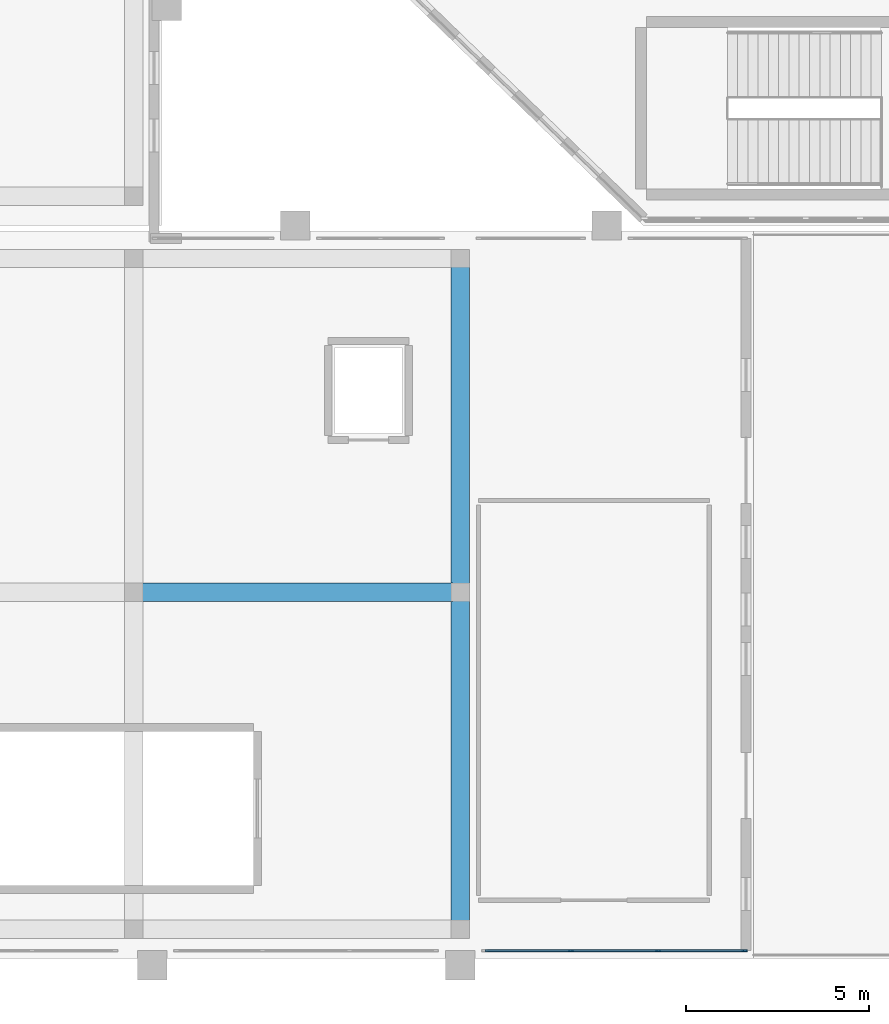
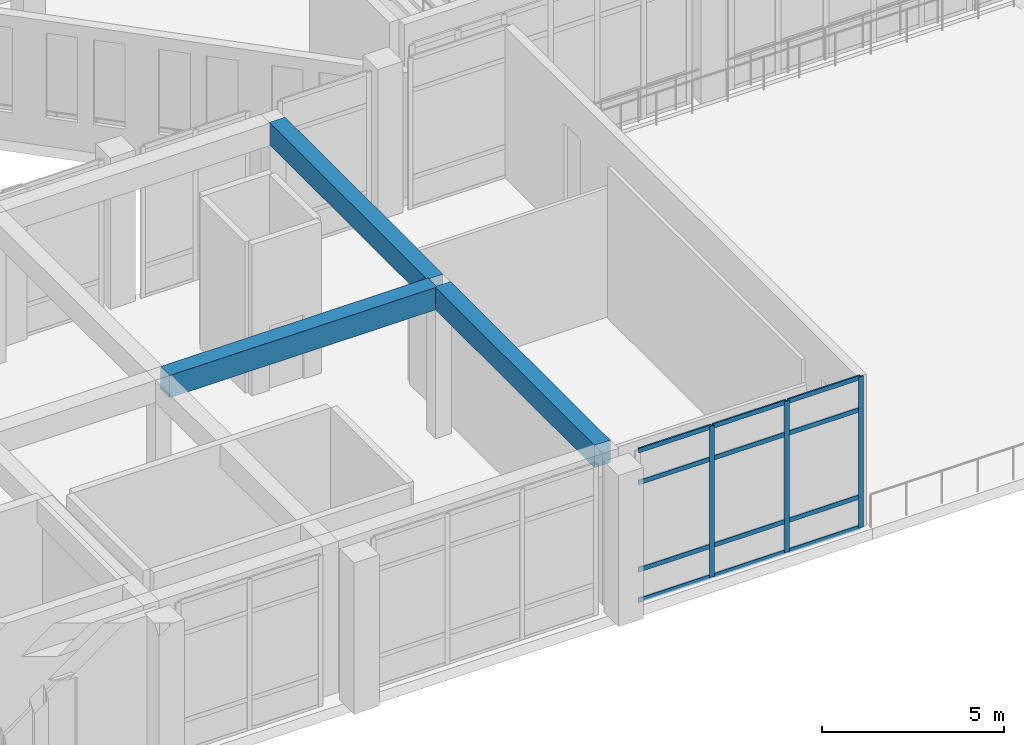
# One storey, part 4 of 55: 15 members, 3 beams, 1 element without a shape of its own.
"""IFC4 building model written with IfcOpenShell, lengths in metres."""

from ifc_helpers import new_model, si_unit, derived_unit, direction, frame, origin, origin_2d, place, context, subcontext, project, spatial, rectangle, extrude, material, layer, layer_set, material_profile, profile_set, type_object, element, aggregate, save


model = new_model("IFC4")

# Units and contexts
model_context = context("Model", 3, precision=1e-05, world=origin(), true_north=direction((0.0, 1.0)))
body_context = subcontext(model_context, "Body", "Model", "MODEL_VIEW")
ifc_project = project(units=[si_unit("LENGTHUNIT", "METRE"), si_unit("AREAUNIT", "SQUARE_METRE"), si_unit("VOLUMEUNIT", "CUBIC_METRE"), si_unit("PLANEANGLEUNIT", "RADIAN"), si_unit("MASSUNIT", "GRAM", prefix="KILO"), derived_unit("THERMALTRANSMITTANCEUNIT", [(si_unit("MASSUNIT", "GRAM", prefix="KILO"), 1), (si_unit("TIMEUNIT", "SECOND"), -3), (si_unit("THERMODYNAMICTEMPERATUREUNIT", "KELVIN"), -1)])], contexts=[model_context])

# Site, building, storey
site_placement = place(None, origin())
site = spatial("IfcSite", under=ifc_project, at=site_placement, CompositionType="ELEMENT")
building_placement = place(site_placement, origin())
building = spatial("IfcBuilding", under=site, at=building_placement, Name="Valcora Ridge Arena", CompositionType="ELEMENT")
storey_placement = place(building_placement, frame((0.0, 0.0, 21.0)))
storey = spatial("IfcBuildingStorey", under=building, at=storey_placement, Name="L04", CompositionType="ELEMENT", Elevation=21.0)

# Beams
ifc_material_1 = material(Name="Concrete C40/50", Category="concrete")
ifc_material_profile_1 = material_profile(ifc_material_1, rectangle(XDim=0.5, YDim=0.75, at=origin_2d()), Name="RC 500x750")
ifc_profile_set_1 = profile_set([ifc_material_profile_1], Name="Concrete C40/50")
beam_type_1 = type_object("IfcBeamType", Name="TY-BEAM-B-RC500-X", PredefinedType="BEAM", material=ifc_profile_set_1)
beam_1_placement = place(storey_placement, frame((15.300048828125, 10.0, 4.705078125), z_axis=(1.0, 0.0, 0.0), x_axis=(0.0, 1.0, 0.0)))
element("IfcBeam", 1, at=beam_1_placement, inside=storey, type_object=beam_type_1, Name="B-RC500-X BEM-B-RC500-X-0091", PredefinedType="BEAM", context=body_context, shape_type="SweptSolid", body=[
    extrude(rectangle(XDim=0.5, YDim=0.75, at=origin_2d()), origin(), (0.0, 0.0, 1.0), 8.5),
])
ifc_material_profile_2 = material_profile(ifc_material_1, rectangle(XDim=0.5, YDim=0.75, at=origin_2d()), Name="RC 500x750")
ifc_profile_set_2 = profile_set([ifc_material_profile_2], Name="Concrete C40/50")
beam_type_2 = type_object("IfcBeamType", Name="TY-BEAM-B-RC500-Y", PredefinedType="BEAM", material=ifc_profile_set_2)
beam_2_placement = place(storey_placement, frame((24.0, 1.0, 4.705078125), z_axis=(0.0, 1.0, 0.0), x_axis=(-1.0, 0.0, 0.0)))
element("IfcBeam", 2, at=beam_2_placement, inside=storey, type_object=beam_type_2, Name="B-RC500-Y BEM-B-RC500-Y-0116", PredefinedType="BEAM", context=body_context, shape_type="SweptSolid", body=[
    extrude(rectangle(XDim=0.5, YDim=0.75, at=origin_2d()), origin(), (0.0, 0.0, 1.0), 8.800048828125),
])
beam_3_placement = place(storey_placement, frame((24.0, 10.199951171875, 4.705078125), z_axis=(0.0, 1.0, 0.0), x_axis=(-1.0, 0.0, 0.0)))
element("IfcBeam", 3, at=beam_3_placement, inside=storey, type_object=beam_type_2, Name="B-RC500-Y BEM-B-RC500-Y-0117", PredefinedType="BEAM", context=body_context, shape_type="SweptSolid", body=[
    extrude(rectangle(XDim=0.5, YDim=0.75, at=origin_2d()), origin(), (0.0, 0.0, 1.0), 8.699951171875),
])

# Curtain wall, members
ifc_material_2 = material(Name="Anodised dark bronze architectural aluminium 6063-T6", Category="aluminium")
ifc_layer = layer(ifc_material_2, 0.14990234375, Name="Anodised dark bronze architectural aluminium 6063-T6")
ifc_layer_set = layer_set([ifc_layer], Name="Anodised dark bronze architectural aluminium 6063-T6")
curtain_wall_type = type_object("IfcCurtainWallType", Name="TY-CURTAINWALL-CW-V4-CLUB-071X51", PredefinedType="NOTDEFINED", material=ifc_layer_set)
curtain_wall_placement = place(storey_placement, origin())
curtain_wall = element("IfcCurtainWall", 4, at=curtain_wall_placement, inside=storey, type_object=curtain_wall_type, Name="CW-V4-CLUB-071X51 CW-0299", PredefinedType="NOTDEFINED")
ifc_material_profile_3 = material_profile(ifc_material_2, rectangle(XDim=0.050048828125, YDim=0.14990234375, at=origin_2d()), Name="ALU MULLION 50x150")
ifc_profile_set_3 = profile_set([ifc_material_profile_3], Name="Anodised dark bronze architectural aluminium 6063-T6")
member_type_1 = type_object("IfcMemberType", Name="TY-MEM-CWM-50x150", PredefinedType="MULLION", material=ifc_profile_set_3)
member_1_placement = place(storey_placement, frame((27.02001953125, 0.219970703125, 0.0), z_axis=(0.0, 0.0, 1.0), x_axis=(0.0, 1.0, 0.0)))
member_1 = element("IfcMember", 5, at=member_1_placement, type_object=member_type_1, Name="CW-0299/CWM-50x150/M01", PredefinedType="MULLION", context=body_context, shape_type="SweptSolid", body=[
    extrude(rectangle(XDim=0.050048828125, YDim=0.14990234375, at=origin_2d()), origin(), (0.0, 0.0, 1.0), 5.080078125),
])
member_2_placement = place(storey_placement, frame((29.39990234375, 0.219970703125, 0.0), z_axis=(0.0, 0.0, 1.0), x_axis=(0.0, 1.0, 0.0)))
member_2 = element("IfcMember", 6, at=member_2_placement, type_object=member_type_1, Name="CW-0299/CWM-50x150/M02", PredefinedType="MULLION", context=body_context, shape_type="SweptSolid", body=[
    extrude(rectangle(XDim=0.050048828125, YDim=0.14990234375, at=origin_2d()), origin(), (0.0, 0.0, 1.0), 5.080078125),
])
member_3_placement = place(storey_placement, frame((31.7548828125, 0.219970703125, 0.0), z_axis=(0.0, 0.0, 1.0), x_axis=(0.0, 1.0, 0.0)))
member_3 = element("IfcMember", 7, at=member_3_placement, type_object=member_type_1, Name="CW-0299/CWM-50x150/M03", PredefinedType="MULLION", context=body_context, shape_type="SweptSolid", body=[
    extrude(rectangle(XDim=0.050048828125, YDim=0.14990234375, at=origin_2d()), origin(), (0.0, 0.0, 1.0), 5.080078125),
])
ifc_material_profile_4 = material_profile(ifc_material_2, rectangle(XDim=0.050048828125, YDim=0.14990234375, at=origin_2d()), Name="ALU TRANSOM 50x150")
ifc_profile_set_4 = profile_set([ifc_material_profile_4], Name="Anodised dark bronze architectural aluminium 6063-T6")
member_type_2 = type_object("IfcMemberType", Name="TY-MEM-CWT-50x150", PredefinedType="USERDEFINED", material=ifc_profile_set_4)
member_4_placement = place(storey_placement, frame((24.68994140625, 0.219970703125, 0.02490234375), z_axis=(1.0, 0.0, 0.0), x_axis=(0.0, 1.0, 0.0)))
member_4 = element("IfcMember", 8, at=member_4_placement, type_object=member_type_2, Name="CW-0299/CWT-50x150/T00-00", ObjectType="TRANSOM", PredefinedType="USERDEFINED", context=body_context, shape_type="SweptSolid", body=[
    extrude(rectangle(XDim=0.050048828125, YDim=0.14990234375, at=origin_2d()), origin(), (0.0, 0.0, 1.0), 2.30517578125),
])
member_5_placement = place(storey_placement, frame((24.68994140625, 0.219970703125, 1.050048828125), z_axis=(1.0, 0.0, 0.0), x_axis=(0.0, 1.0, 0.0)))
member_5 = element("IfcMember", 9, at=member_5_placement, type_object=member_type_2, Name="CW-0299/CWT-50x150/T00-01", ObjectType="TRANSOM", PredefinedType="USERDEFINED", context=body_context, shape_type="SweptSolid", body=[
    extrude(rectangle(XDim=0.050048828125, YDim=0.14990234375, at=origin_2d()), origin(), (0.0, 0.0, 1.0), 2.30517578125),
])
member_6_placement = place(storey_placement, frame((24.68994140625, 0.219970703125, 3.97998046875), z_axis=(1.0, 0.0, 0.0), x_axis=(0.0, 1.0, 0.0)))
member_6 = element("IfcMember", 10, at=member_6_placement, type_object=member_type_2, Name="CW-0299/CWT-50x150/T00-02", ObjectType="TRANSOM", PredefinedType="USERDEFINED", context=body_context, shape_type="SweptSolid", body=[
    extrude(rectangle(XDim=0.050048828125, YDim=0.14990234375, at=origin_2d()), origin(), (0.0, 0.0, 1.0), 2.30517578125),
])
member_7_placement = place(storey_placement, frame((24.68994140625, 0.219970703125, 5.054931640625), z_axis=(1.0, 0.0, 0.0), x_axis=(0.0, 1.0, 0.0)))
member_7 = element("IfcMember", 11, at=member_7_placement, type_object=member_type_2, Name="CW-0299/CWT-50x150/T00-03", ObjectType="TRANSOM", PredefinedType="USERDEFINED", context=body_context, shape_type="SweptSolid", body=[
    extrude(rectangle(XDim=0.050048828125, YDim=0.14990234375, at=origin_2d()), origin(), (0.0, 0.0, 1.0), 2.30517578125),
])
member_8_placement = place(storey_placement, frame((27.044921875, 0.219970703125, 0.02490234375), z_axis=(1.0, 0.0, 0.0), x_axis=(0.0, 1.0, 0.0)))
member_8 = element("IfcMember", 12, at=member_8_placement, type_object=member_type_2, Name="CW-0299/CWT-50x150/T01-00", ObjectType="TRANSOM", PredefinedType="USERDEFINED", context=body_context, shape_type="SweptSolid", body=[
    extrude(rectangle(XDim=0.050048828125, YDim=0.14990234375, at=origin_2d()), origin(), (0.0, 0.0, 1.0), 2.330078125),
])
member_9_placement = place(storey_placement, frame((27.044921875, 0.219970703125, 1.050048828125), z_axis=(1.0, 0.0, 0.0), x_axis=(0.0, 1.0, 0.0)))
member_9 = element("IfcMember", 13, at=member_9_placement, type_object=member_type_2, Name="CW-0299/CWT-50x150/T01-01", ObjectType="TRANSOM", PredefinedType="USERDEFINED", context=body_context, shape_type="SweptSolid", body=[
    extrude(rectangle(XDim=0.050048828125, YDim=0.14990234375, at=origin_2d()), origin(), (0.0, 0.0, 1.0), 2.330078125),
])
member_10_placement = place(storey_placement, frame((27.044921875, 0.219970703125, 3.97998046875), z_axis=(1.0, 0.0, 0.0), x_axis=(0.0, 1.0, 0.0)))
member_10 = element("IfcMember", 14, at=member_10_placement, type_object=member_type_2, Name="CW-0299/CWT-50x150/T01-02", ObjectType="TRANSOM", PredefinedType="USERDEFINED", context=body_context, shape_type="SweptSolid", body=[
    extrude(rectangle(XDim=0.050048828125, YDim=0.14990234375, at=origin_2d()), origin(), (0.0, 0.0, 1.0), 2.330078125),
])
member_11_placement = place(storey_placement, frame((27.044921875, 0.219970703125, 5.054931640625), z_axis=(1.0, 0.0, 0.0), x_axis=(0.0, 1.0, 0.0)))
member_11 = element("IfcMember", 15, at=member_11_placement, type_object=member_type_2, Name="CW-0299/CWT-50x150/T01-03", ObjectType="TRANSOM", PredefinedType="USERDEFINED", context=body_context, shape_type="SweptSolid", body=[
    extrude(rectangle(XDim=0.050048828125, YDim=0.14990234375, at=origin_2d()), origin(), (0.0, 0.0, 1.0), 2.330078125),
])
member_12_placement = place(storey_placement, frame((29.425048828125, 0.219970703125, 0.02490234375), z_axis=(1.0, 0.0, 0.0), x_axis=(0.0, 1.0, 0.0)))
member_12 = element("IfcMember", 16, at=member_12_placement, type_object=member_type_2, Name="CW-0299/CWT-50x150/T02-00", ObjectType="TRANSOM", PredefinedType="USERDEFINED", context=body_context, shape_type="SweptSolid", body=[
    extrude(rectangle(XDim=0.050048828125, YDim=0.14990234375, at=origin_2d()), origin(), (0.0, 0.0, 1.0), 2.304931640625),
])
member_13_placement = place(storey_placement, frame((29.425048828125, 0.219970703125, 1.050048828125), z_axis=(1.0, 0.0, 0.0), x_axis=(0.0, 1.0, 0.0)))
member_13 = element("IfcMember", 17, at=member_13_placement, type_object=member_type_2, Name="CW-0299/CWT-50x150/T02-01", ObjectType="TRANSOM", PredefinedType="USERDEFINED", context=body_context, shape_type="SweptSolid", body=[
    extrude(rectangle(XDim=0.050048828125, YDim=0.14990234375, at=origin_2d()), origin(), (0.0, 0.0, 1.0), 2.304931640625),
])
member_14_placement = place(storey_placement, frame((29.425048828125, 0.219970703125, 3.97998046875), z_axis=(1.0, 0.0, 0.0), x_axis=(0.0, 1.0, 0.0)))
member_14 = element("IfcMember", 18, at=member_14_placement, type_object=member_type_2, Name="CW-0299/CWT-50x150/T02-02", ObjectType="TRANSOM", PredefinedType="USERDEFINED", context=body_context, shape_type="SweptSolid", body=[
    extrude(rectangle(XDim=0.050048828125, YDim=0.14990234375, at=origin_2d()), origin(), (0.0, 0.0, 1.0), 2.304931640625),
])
member_15_placement = place(storey_placement, frame((29.425048828125, 0.219970703125, 5.054931640625), z_axis=(1.0, 0.0, 0.0), x_axis=(0.0, 1.0, 0.0)))
member_15 = element("IfcMember", 19, at=member_15_placement, type_object=member_type_2, Name="CW-0299/CWT-50x150/T02-03", ObjectType="TRANSOM", PredefinedType="USERDEFINED", context=body_context, shape_type="SweptSolid", body=[
    extrude(rectangle(XDim=0.050048828125, YDim=0.14990234375, at=origin_2d()), origin(), (0.0, 0.0, 1.0), 2.304931640625),
])
aggregate(curtain_wall, [member_1, member_2, member_3, member_4, member_5, member_6, member_7, member_8, member_9, member_10, member_11, member_12, member_13, member_14, member_15])

save(model, "model.ifc")
